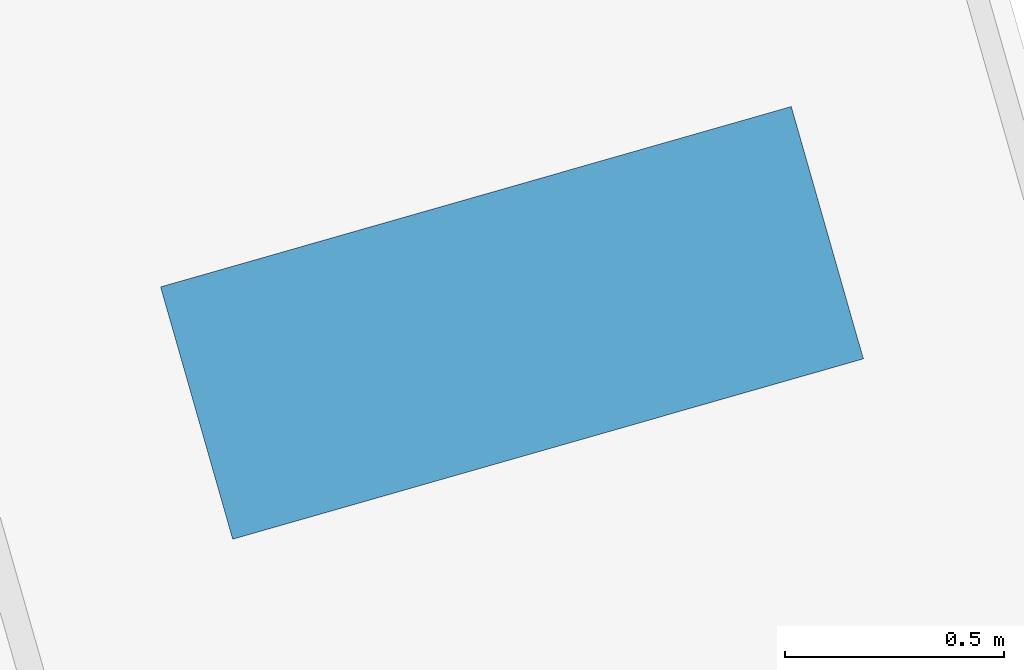
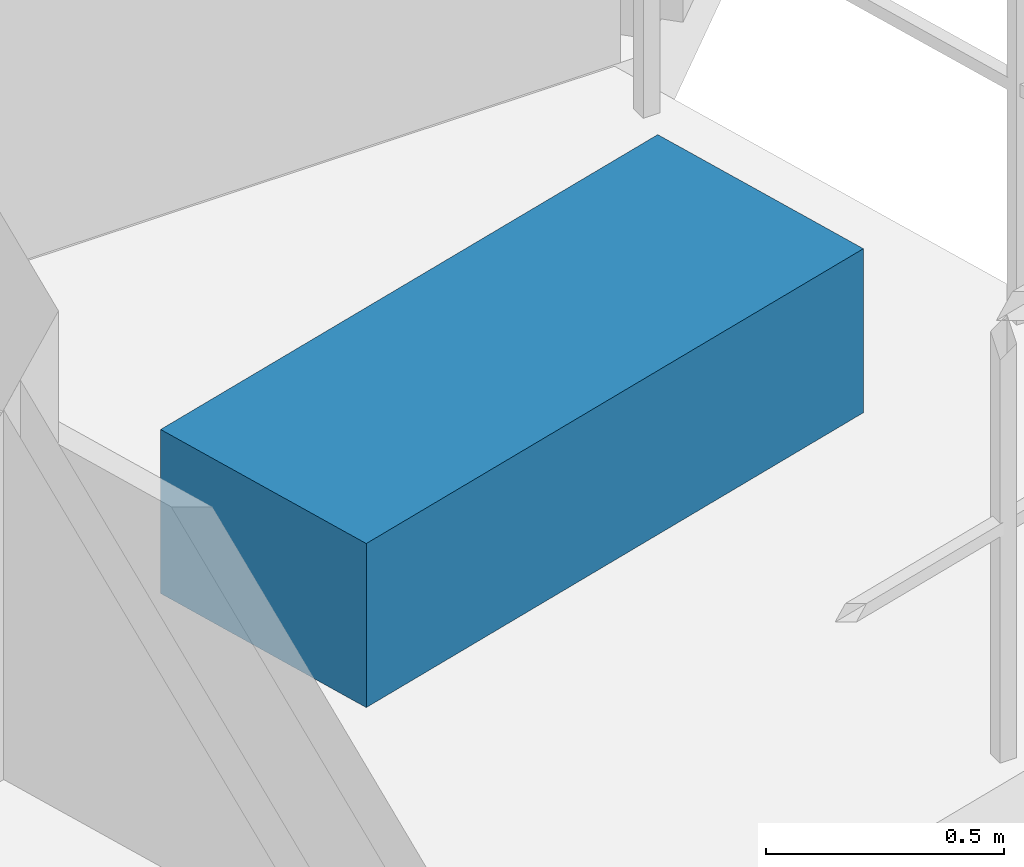
# One storey, part 10 of 14: 1 discrete accessory.
"""IFC4 building model written with IfcOpenShell, lengths in metres."""

from ifc_helpers import new_model, si_unit, direction, frame, origin, origin_2d, place, context, subcontext, project, spatial, rectangle, extrude, source, transform, mapped, material, type_object, element, save


model = new_model("IFC4")

# Units and contexts
model_context = context("Model", 3, precision=1e-05, world=origin(), true_north=direction((0.0, 1.0)))
body_context = subcontext(model_context, "Body", "Model", "MODEL_VIEW")
ifc_project = project(units=[si_unit("LENGTHUNIT", "METRE"), si_unit("AREAUNIT", "SQUARE_METRE"), si_unit("VOLUMEUNIT", "CUBIC_METRE"), si_unit("PLANEANGLEUNIT", "RADIAN"), si_unit("MASSUNIT", "GRAM", prefix="KILO")], contexts=[model_context])

# Site, building, storey
site_placement = place(None, origin())
site = spatial("IfcSite", under=ifc_project, at=site_placement, CompositionType="ELEMENT")
building_placement = place(site_placement, origin())
building = spatial("IfcBuilding", under=site, at=building_placement, Name="Zahravan Cultural Tower", CompositionType="ELEMENT")
storey_placement = place(building_placement, frame((0.0, 0.0, 205.800048828125)))
storey = spatial("IfcBuildingStorey", under=building, at=storey_placement, Name="L48", CompositionType="ELEMENT", Elevation=205.800048828125)

# Discrete accessory
ifc_material = material(Name="Planted soil and terracotta planter", Category="masonry")
discrete_accessory_type = type_object("IfcDiscreteAccessoryType", Name="ACC-PLANTER-TC", PredefinedType="USERDEFINED", material=ifc_material)
shared_shape = source(origin(), body_context, "Body", "SweptSolid", [
    extrude(rectangle(XDim=1.5, YDim=0.60009765625, at=origin_2d()), origin(), (0.0, 0.0, 1.0), 0.419921875),
])
discrete_accessory_placement = place(storey_placement, frame((48.33984375, 13.319091796875, 0.0), z_axis=(0.0, 0.0, 1.0), x_axis=(0.961453892845, 0.274966201438, 0.0)))
element("IfcDiscreteAccessory", 1, at=discrete_accessory_placement, inside=storey, type_object=discrete_accessory_type, Name="L48 Terracotta Sculpture Planter SE", ObjectType="PLANTER", PredefinedType="USERDEFINED", context=body_context, shape_type="MappedRepresentation", body=[
    mapped(shared_shape, transform((0.0, 0.0, 0.0), x_axis=(1.0, 0.0, 0.0), y_axis=(0.0, 1.0, 0.0), z_axis=(0.0, 0.0, 1.0), scale=1.0)),
])

save(model, "model.ifc")
